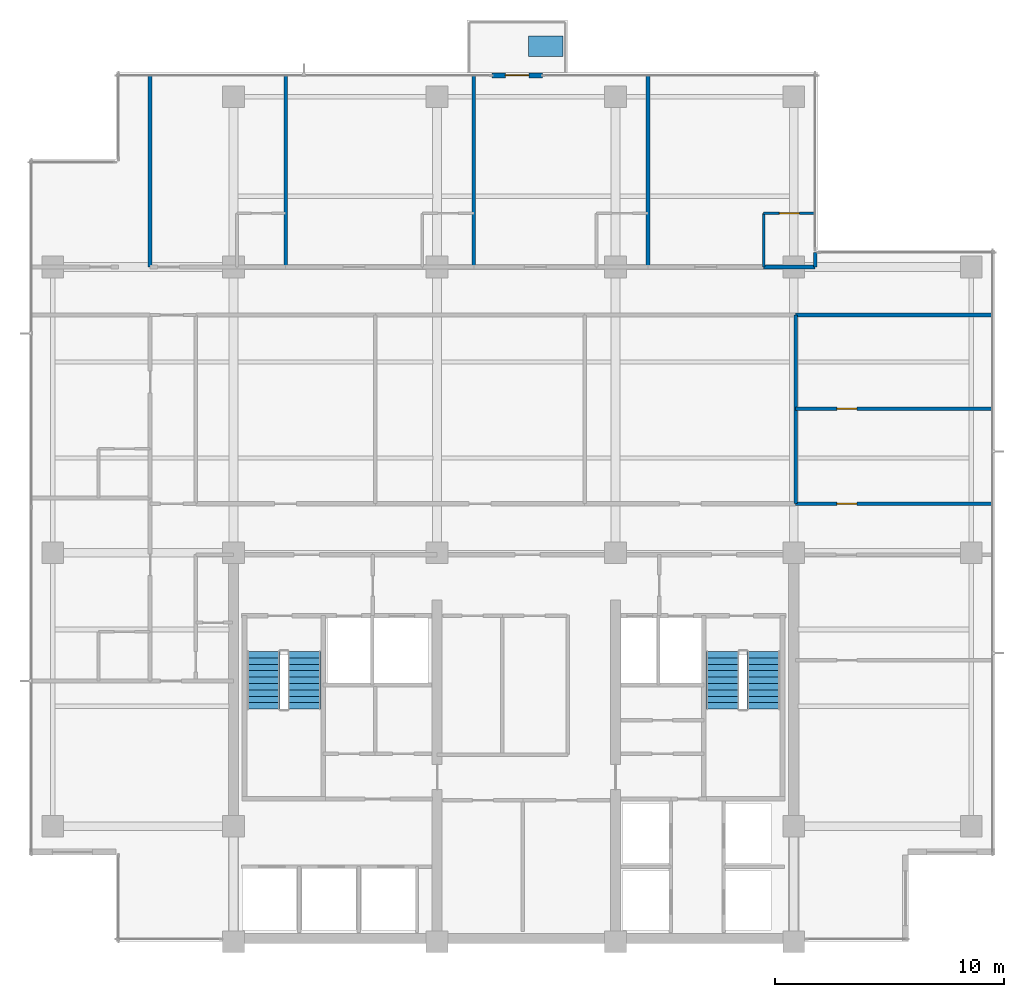
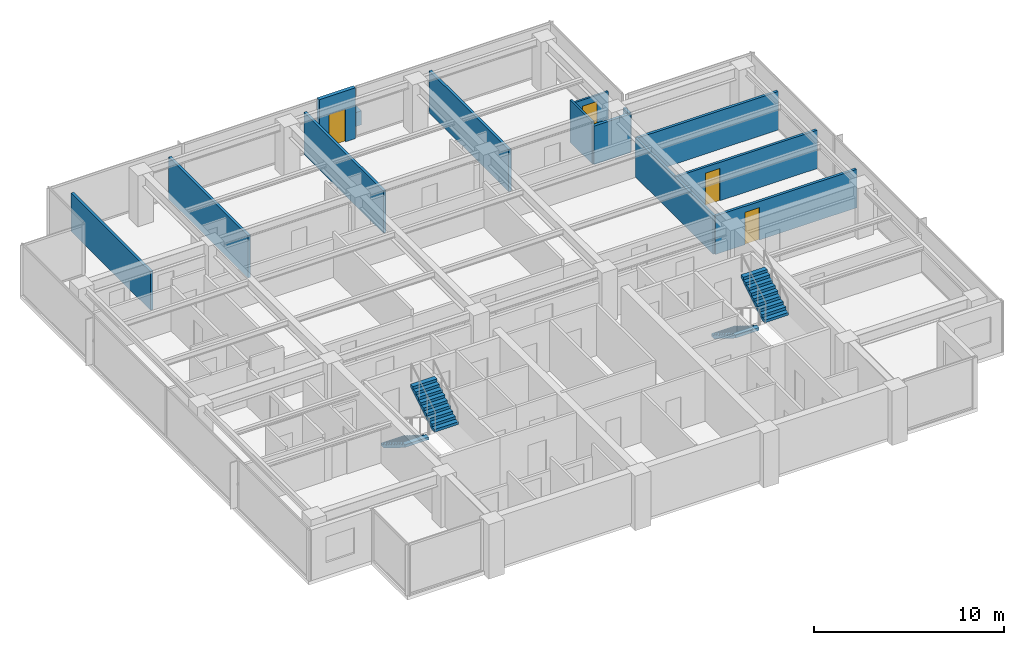
# One storey, part 10 of 15: 13 walls, 4 doors, 4 stair flights, 1 discrete accessory, 4 openings, 2 elements without a shape of their own.
"""IFC4 building model written with IfcOpenShell, lengths in metres."""

from ifc_helpers import new_model, si_unit, direction, frame, frame_2d, origin, place, context, subcontext, project, spatial, polyline, rectangle, outline, extrude, material, layer, layer_set, type_object, element, fill, aggregate, save


model = new_model("IFC4")

# Units and contexts
model_context = context("Model", 3, precision=1e-05, world=origin(), true_north=direction((0.0, 1.0)))
body_context = subcontext(model_context, "Body", "Model", "MODEL_VIEW")
ifc_project = project(units=[si_unit("LENGTHUNIT", "METRE"), si_unit("AREAUNIT", "SQUARE_METRE"), si_unit("VOLUMEUNIT", "CUBIC_METRE"), si_unit("PLANEANGLEUNIT", "RADIAN"), si_unit("MASSUNIT", "GRAM", prefix="KILO")], contexts=[model_context])

# Site, building, storey
site_placement = place(None, origin())
site = spatial("IfcSite", under=ifc_project, at=site_placement, CompositionType="ELEMENT")
building_placement = place(site_placement, origin())
building = spatial("IfcBuilding", under=site, at=building_placement, Name="Qalmaran Belvedere Hotel", CompositionType="ELEMENT")
storey_placement = place(building_placement, frame((0.0, 0.0, 214.39990234375)))
storey = spatial("IfcBuildingStorey", under=building, at=storey_placement, Name="L54", CompositionType="ELEMENT", Elevation=214.39990234375)

# Wall, opening, door
ifc_material_1 = material(Name="Anodised Bronze Cladding")
ifc_layer_1 = layer(ifc_material_1, 0.22509765625, Name="Anodised Bronze Cladding")
ifc_layer_set_1 = layer_set([ifc_layer_1], Name="Anodised Bronze Cladding")
wall_type_1 = type_object("IfcWallType", Name="WL-BAL-PORT-225", PredefinedType="SOLIDWALL", material=ifc_layer_set_1)
wall_1_placement = place(storey_placement, frame((31.60009765625, 41.3798828125, 0.0), z_axis=(0.0, 0.0, 1.0), x_axis=(1.0, 0.0, 0.0)))
wall_1 = element("IfcWall", 1, at=wall_1_placement, inside=storey, type_object=wall_type_1, Name="L54 Tree Balcony Door Portal", PredefinedType="SOLIDWALL", context=body_context, shape_type="SweptSolid", body=[
    extrude(rectangle(XDim=2.199951171875, YDim=0.22509765625, at=frame_2d((1.10009765625, 0.0))), origin(), (0.0, 0.0, 1.0), 3.260009765625),
])
opening_1_placement = place(wall_1_placement, frame((0.590087890625, 0.0, 0.0)))
opening_1 = element("IfcOpeningElement", 2, at=opening_1_placement, cuts=wall_1, Name="Opening BL-102", PredefinedType="OPENING", context=body_context, shape_type="SweptSolid", body=[
    extrude(rectangle(XDim=1.02001953125, YDim=2.10009765625, at=frame_2d((0.510009765625, 1.050048828125))), frame((0.0, 0.12255859375, 0.0), z_axis=(0.0, -1.0, 0.0), x_axis=(1.0, 0.0, 0.0)), (0.0, 0.0, 1.0), 0.2451171875),
])
ifc_material_2 = material(Name="Anodised Bronze Aluminium", Category="aluminium")
door_type_1 = type_object("IfcDoorType", Name="DR-BAL-1020X2100", OperationType="NOTDEFINED", PredefinedType="DOOR", material=ifc_material_2)
door_1_placement = place(opening_1_placement, origin())
door_1 = element("IfcDoor", 3, at=door_1_placement, inside=storey, type_object=door_type_1, Name="L54 Planted Tree Balcony Door", OperationType="SINGLE_SWING_LEFT", OverallHeight=2.10009765625, OverallWidth=1.02001953125, PredefinedType="DOOR", context=body_context, shape_type="SweptSolid", body=[
    extrude(rectangle(XDim=1.02001953125, YDim=2.10009765625, at=frame_2d((0.510009765625, 1.050048828125))), frame((0.0, 0.02490234375, 0.0), z_axis=(0.0, -1.0, 0.0), x_axis=(1.0, 0.0, 0.0)), (0.0, 0.0, 1.0), 0.050048828125),
])
fill(opening_1, door_1)

ifc_material_3 = material(Name="Moisture-Resistant Gypsum")
ifc_layer_2 = layer(ifc_material_3, 0.1201171875, Name="Moisture-Resistant Gypsum")
ifc_layer_set_2 = layer_set([ifc_layer_2], Name="Moisture-Resistant Gypsum")
wall_type_2 = type_object("IfcWallType", Name="WL-INT-120-BATH", PredefinedType="PARTITIONING", material=ifc_layer_set_2)
wall_2_placement = place(storey_placement, frame((43.47998046875, 35.35009765625, 0.0), z_axis=(0.0, 0.0, 1.0), x_axis=(1.0, 0.0, 0.0)))
wall_2 = element("IfcWall", 4, at=wall_2_placement, inside=storey, type_object=wall_type_2, Name="L54 Partition WL-L54-NBN03", PredefinedType="PARTITIONING", context=body_context, shape_type="SweptSolid", body=[
    extrude(rectangle(XDim=2.25, YDim=0.1201171875, at=frame_2d((1.125, 0.0))), origin(), (0.0, 0.0, 1.0), 2.47216796875),
])
opening_2_placement = place(wall_2_placement, frame((1.56494140625, 0.0, 0.0), z_axis=(0.0, 0.0, 1.0), x_axis=(-1.0, 0.0, 0.0)))
opening_2 = element("IfcOpeningElement", 5, at=opening_2_placement, cuts=wall_2, Name="Opening D-BATH", PredefinedType="OPENING", context=body_context, shape_type="SweptSolid", body=[
    extrude(rectangle(XDim=0.8798828125, YDim=2.080078125, at=frame_2d((0.43994140625, 1.0400390625))), frame((0.0, 0.070068359375, 0.0), z_axis=(0.0, -1.0, 0.0), x_axis=(1.0, 0.0, 0.0)), (0.0, 0.0, 1.0), 0.14013671875),
])
ifc_material_4 = material(Name="Engineered Oak Veneer")
door_type_2 = type_object("IfcDoorType", Name="DR-INT-BATH-880X2080", OperationType="NOTDEFINED", PredefinedType="DOOR", material=ifc_material_4)
door_2_placement = place(opening_2_placement, origin())
door_2 = element("IfcDoor", 6, at=door_2_placement, inside=storey, type_object=door_type_2, Name="L54 Ensuite Bathroom Door N04", OperationType="SINGLE_SWING_RIGHT", OverallHeight=2.080078125, OverallWidth=0.8798828125, PredefinedType="DOOR", context=body_context, shape_type="SweptSolid", body=[
    extrude(rectangle(XDim=0.8798828125, YDim=2.080078125, at=frame_2d((0.43994140625, 1.0400390625))), frame((0.0, 0.02490234375, 0.0), z_axis=(0.0, -1.0, 0.0), x_axis=(1.0, 0.0, 0.0)), (0.0, 0.0, 1.0), 0.050048828125),
])
fill(opening_2, door_2)

# Wall
wall_3_placement = place(storey_placement, frame((43.47998046875, 33.0, 0.0), z_axis=(0.0, 0.0, 1.0), x_axis=(0.0, 1.0, 0.0)))
element("IfcWall", 7, at=wall_3_placement, inside=storey, type_object=wall_type_2, Name="L54 Partition WL-L54-NBS03", PredefinedType="PARTITIONING", context=body_context, shape_type="SweptSolid", body=[
    extrude(rectangle(XDim=2.35009765625, YDim=0.1201171875, at=frame_2d((1.175048828125, 0.0))), origin(), (0.0, 0.0, 1.0), 2.7060546875),
])

# Wall, opening, door
ifc_material_5 = material(Name="Gypsum Stud Partition")
ifc_layer_3 = layer(ifc_material_5, 0.14990234375, Name="Gypsum Stud Partition")
ifc_layer_set_3 = layer_set([ifc_layer_3], Name="Gypsum Stud Partition")
wall_type_3 = type_object("IfcWallType", Name="WL-INT-150-EI60", PredefinedType="PARTITIONING", material=ifc_layer_set_3)
wall_4_placement = place(storey_placement, frame((44.8798828125, 26.800048828125, 0.0), z_axis=(0.0, 0.0, 1.0), x_axis=(1.0, 0.0, 0.0)))
wall_4 = element("IfcWall", 8, at=wall_4_placement, inside=storey, type_object=wall_type_3, Name="L54 Partition WL-L54-ECEH2", PredefinedType="PARTITIONING", context=body_context, shape_type="SweptSolid", body=[
    extrude(rectangle(XDim=8.60009765625, YDim=0.14990234375, at=frame_2d((4.300048828125, 0.0))), origin(), (0.0, 0.0, 1.0), 2.47216796875),
])
opening_3_placement = place(wall_4_placement, frame((1.800048828125, 0.0, 0.0)))
opening_3 = element("IfcOpeningElement", 9, at=opening_3_placement, cuts=wall_4, Name="Opening FD60B", PredefinedType="OPENING", context=body_context, shape_type="SweptSolid", body=[
    extrude(rectangle(XDim=0.8798828125, YDim=2.080078125, at=frame_2d((0.43994140625, 1.0400390625))), frame((0.0, 0.0849609375, 0.0), z_axis=(0.0, -1.0, 0.0), x_axis=(1.0, 0.0, 0.0)), (0.0, 0.0, 1.0), 0.169921875),
])
ifc_material_6 = material(Name="Steel S355JR", Category="steel")
door_type_3 = type_object("IfcDoorType", Name="DR-FD60B-880X2080", OperationType="NOTDEFINED", PredefinedType="DOOR", material=ifc_material_6)
door_3_placement = place(opening_3_placement, origin())
door_3 = element("IfcDoor", 10, at=door_3_placement, inside=storey, type_object=door_type_3, Name="L54 East Meditation Door", OperationType="SINGLE_SWING_RIGHT", OverallHeight=2.080078125, OverallWidth=0.8798828125, PredefinedType="DOOR", context=body_context, shape_type="SweptSolid", body=[
    extrude(rectangle(XDim=0.8798828125, YDim=2.080078125, at=frame_2d((0.43994140625, 1.0400390625))), frame((0.0, 0.02490234375, 0.0), z_axis=(0.0, -1.0, 0.0), x_axis=(1.0, 0.0, 0.0)), (0.0, 0.0, 1.0), 0.050048828125),
])
fill(opening_3, door_3)

ifc_layer_4 = layer(ifc_material_5, 0.159912109375, Name="Gypsum Stud Partition")
ifc_layer_set_4 = layer_set([ifc_layer_4], Name="Gypsum Stud Partition")
wall_type_4 = type_object("IfcWallType", Name="WL-INT-160-EI60", PredefinedType="PARTITIONING", material=ifc_layer_set_4)
wall_5_placement = place(storey_placement, frame((44.8798828125, 22.64990234375, 0.0), z_axis=(0.0, 0.0, 1.0), x_axis=(1.0, 0.0, 0.0)))
wall_5 = element("IfcWall", 11, at=wall_5_placement, inside=storey, type_object=wall_type_4, Name="L54 Partition WL-L54-ECE2N", PredefinedType="PARTITIONING", context=body_context, shape_type="SweptSolid", body=[
    extrude(rectangle(XDim=8.60009765625, YDim=0.159912109375, at=frame_2d((4.300048828125, 0.0))), origin(), (0.0, 0.0, 1.0), 2.47216796875),
])
opening_4_placement = place(wall_5_placement, frame((1.800048828125, 0.0, 0.0)))
opening_4 = element("IfcOpeningElement", 12, at=opening_4_placement, cuts=wall_5, Name="Opening FD60B", PredefinedType="OPENING", context=body_context, shape_type="SweptSolid", body=[
    extrude(rectangle(XDim=0.8798828125, YDim=2.080078125, at=frame_2d((0.43994140625, 1.0400390625))), frame((0.0, 0.08984375, 0.0), z_axis=(0.0, -1.0, 0.0), x_axis=(1.0, 0.0, 0.0)), (0.0, 0.0, 1.0), 0.179931640625),
])
door_4_placement = place(opening_4_placement, origin())
door_4 = element("IfcDoor", 13, at=door_4_placement, inside=storey, type_object=door_type_3, Name="L54 East Fitness Door", OperationType="SINGLE_SWING_RIGHT", OverallHeight=2.080078125, OverallWidth=0.8798828125, PredefinedType="DOOR", context=body_context, shape_type="SweptSolid", body=[
    extrude(rectangle(XDim=0.8798828125, YDim=2.080078125, at=frame_2d((0.43994140625, 1.0400390625))), frame((0.0, 0.02490234375, 0.0), z_axis=(0.0, -1.0, 0.0), x_axis=(1.0, 0.0, 0.0)), (0.0, 0.0, 1.0), 0.050048828125),
])
fill(opening_4, door_4)

# Walls
wall_6_placement = place(storey_placement, frame((44.8798828125, 30.89990234375, 0.0), z_axis=(0.0, 0.0, 1.0), x_axis=(1.0, 0.0, 0.0)))
element("IfcWall", 14, at=wall_6_placement, inside=storey, type_object=wall_type_4, Name="L54 Partition WL-L54-ECEN", PredefinedType="PARTITIONING", context=body_context, shape_type="SweptSolid", body=[
    extrude(rectangle(XDim=8.60009765625, YDim=0.159912109375, at=frame_2d((4.300048828125, 0.0))), origin(), (0.0, 0.0, 1.0), 2.47216796875),
])
wall_7_placement = place(storey_placement, frame((44.8798828125, 22.64990234375, 0.0), z_axis=(0.0, 0.0, 1.0), x_axis=(0.0, 1.0, 0.0)))
element("IfcWall", 15, at=wall_7_placement, inside=storey, type_object=wall_type_4, Name="L54 Partition WL-L54-MIDVR3", PredefinedType="PARTITIONING", context=body_context, shape_type="SweptSolid", body=[
    extrude(rectangle(XDim=8.25, YDim=0.159912109375, at=frame_2d((4.125, 0.0))), origin(), (0.0, 0.0, 1.0), 2.47216796875),
])
wall_8_placement = place(storey_placement, frame((16.64990234375, 33.0, 0.0), z_axis=(0.0, 0.0, 1.0), x_axis=(0.0, 1.0, 0.0)))
element("IfcWall", 16, at=wall_8_placement, inside=storey, type_object=wall_type_4, Name="L54 Partition WL-L54-NUL", PredefinedType="PARTITIONING", context=body_context, shape_type="SweptSolid", body=[
    extrude(rectangle(XDim=8.3798828125, YDim=0.159912109375, at=frame_2d((4.18994140625, 0.0))), origin(), (0.0, 0.0, 1.0), 2.47216796875),
])
for number, where, z_axis, x_axis, name in (
    (17, (22.580322265625, 33.0, 0.0), (0.0, 0.0, 1.0), (0.0, 1.0, 0.0), "L54 Partition WL-L54-NUR00"),
    (18, (30.8046875, 33.0, 0.0), (0.0, 0.0, 1.0), (0.0, 1.0, 0.0), "L54 Partition WL-L54-NUR01"),
    (19, (38.419677734375, 33.0, 0.0), (0.0, 0.0, 1.0), (0.0, 1.0, 0.0), "L54 Partition WL-L54-NUR02"),
):
    element("IfcWall", number, at=place(storey_placement, frame(where, z_axis=z_axis, x_axis=x_axis)), inside=storey, type_object=wall_type_4, Name=name, PredefinedType="PARTITIONING", context=body_context, shape_type="SweptSolid", body=[
        extrude(rectangle(XDim=8.3798828125, YDim=0.159912109375, at=frame_2d((4.18994140625, 0.0))), origin(), (0.0, 0.0, 1.0), 2.7060546875),
    ])
wall_9_placement = place(storey_placement, frame((45.72998046875, 33.0, 0.0), z_axis=(0.0, 0.0, 1.0), x_axis=(0.0, 1.0, 0.0)))
element("IfcWall", 20, at=wall_9_placement, inside=storey, type_object=wall_type_4, Name="L54 Partition WL-L54-NUR03", PredefinedType="PARTITIONING", context=body_context, shape_type="SweptSolid", body=[
    extrude(rectangle(XDim=0.6298828125, YDim=0.159912109375, at=frame_2d((0.31494140625, 0.0))), origin(), (0.0, 0.0, 1.0), 2.47216796875),
])
ifc_layer_5 = layer(ifc_material_5, 0.179931640625, Name="Gypsum Stud Partition")
ifc_layer_set_5 = layer_set([ifc_layer_5], Name="Gypsum Stud Partition")
wall_type_5 = type_object("IfcWallType", Name="WL-INT-180-EI60", PredefinedType="PARTITIONING", material=ifc_layer_set_5)
wall_10_placement = place(storey_placement, frame((43.47998046875, 33.0, 0.0), z_axis=(0.0, 0.0, 1.0), x_axis=(1.0, 0.0, 0.0)))
element("IfcWall", 21, at=wall_10_placement, inside=storey, type_object=wall_type_5, Name="L54 Partition WL-L54-NBC03", PredefinedType="PARTITIONING", context=body_context, shape_type="SweptSolid", body=[
    extrude(rectangle(XDim=2.25, YDim=0.179931640625, at=frame_2d((1.125, 0.0))), origin(), (0.0, 0.0, 1.0), 2.47216796875),
])

# Stair, stair flights
ifc_material_7 = material(Name="Concrete C40/50", Category="concrete")
stair_type_1 = type_object("IfcStairType", Name="STR-ST-1-1450-R1750", PredefinedType="HALF_TURN_STAIR", material=ifc_material_7)
stair_1_placement = place(storey_placement, origin())
stair_1 = element("IfcStair", 22, at=stair_1_placement, inside=storey, type_object=stair_type_1, Name="L54 West Core Exit Stair ST-1", PredefinedType="HALF_TURN_STAIR")
ifc_layer_6 = layer(ifc_material_7, 0.14990234375, Name="Concrete C40/50")
ifc_layer_set_6 = layer_set([ifc_layer_6], Name="Concrete C40/50")
stair_flight_type_1 = type_object("IfcStairFlightType", Name="STF-ST-1-1450-R1750", PredefinedType="STRAIGHT", material=ifc_layer_set_6)
stair_flight_1_placement = place(storey_placement, frame((21.60498046875, 16.18994140625, 0.0), z_axis=(0.0, 0.0, 1.0), x_axis=(0.0, -1.0, 0.0)))
stair_flight_1 = element("IfcStairFlight", 23, at=stair_flight_1_placement, type_object=stair_flight_type_1, Name="ST-1 flight 1", NumberOfRisers=10, NumberOfTreads=9, PredefinedType="STRAIGHT", RiserHeight=0.175, TreadLength=0.28, context=body_context, shape_type="SweptSolid", body=[
    extrude(outline(polyline([(0.0, 0.0), (0.0, 0.175048828125), (0.280029296875, 0.175048828125), (0.280029296875, 0.35009765625), (0.56005859375, 0.35009765625), (0.56005859375, 0.52490234375), (0.840087890625, 0.52490234375), (0.840087890625, 0.699951171875), (1.1201171875, 0.699951171875), (1.1201171875, 0.875), (1.39990234375, 0.875), (1.39990234375, 1.050048828125), (1.679931640625, 1.050048828125), (1.679931640625, 1.22509765625), (1.9599609375, 1.22509765625), (1.9599609375, 1.39990234375), (2.239990234375, 1.39990234375), (2.239990234375, 1.574951171875), (2.52001953125, 1.574951171875), (2.52001953125, 1.75), (2.52001953125, 1.398193359375), (0.28271484375, 0.0), (0.0, 0.0)])), frame((0.0, 0.72509765625, 0.0), z_axis=(0.0, -1.0, 0.0), x_axis=(1.0, 0.0, 0.0)), (0.0, 0.0, 1.0), 1.449951171875),
])
stair_flight_2_placement = place(storey_placement, frame((23.39501953125, 13.669921875, 1.75), z_axis=(0.0, 0.0, 1.0), x_axis=(0.0, 1.0, 0.0)))
stair_flight_2 = element("IfcStairFlight", 24, at=stair_flight_2_placement, type_object=stair_flight_type_1, Name="ST-1 flight 2", NumberOfRisers=10, NumberOfTreads=9, PredefinedType="STRAIGHT", RiserHeight=0.175, TreadLength=0.28, context=body_context, shape_type="SweptSolid", body=[
    extrude(outline(polyline([(0.0, 0.0), (0.0, 0.175048828125), (0.280029296875, 0.175048828125), (0.280029296875, 0.35009765625), (0.56005859375, 0.35009765625), (0.56005859375, 0.52490234375), (0.840087890625, 0.52490234375), (0.840087890625, 0.699951171875), (1.1201171875, 0.699951171875), (1.1201171875, 0.875), (1.39990234375, 0.875), (1.39990234375, 1.050048828125), (1.679931640625, 1.050048828125), (1.679931640625, 1.22509765625), (1.9599609375, 1.22509765625), (1.9599609375, 1.39990234375), (2.239990234375, 1.39990234375), (2.239990234375, 1.574951171875), (2.52001953125, 1.574951171875), (2.52001953125, 1.75), (2.52001953125, 1.398193359375), (0.28271484375, 0.0), (0.0, 0.0)])), frame((0.0, 0.72509765625, 0.0), z_axis=(0.0, -1.0, 0.0), x_axis=(1.0, 0.0, 0.0)), (0.0, 0.0, 1.0), 1.449951171875),
])
aggregate(stair_1, [stair_flight_1, stair_flight_2])

stair_type_2 = type_object("IfcStairType", Name="STR-ST-2-1450-R1750", PredefinedType="HALF_TURN_STAIR", material=ifc_material_7)
stair_2_placement = place(storey_placement, origin())
stair_2 = element("IfcStair", 25, at=stair_2_placement, inside=storey, type_object=stair_type_2, Name="L54 East Core Exit Stair ST-2", PredefinedType="HALF_TURN_STAIR")
ifc_layer_7 = layer(ifc_material_7, 0.14990234375, Name="Concrete C40/50")
ifc_layer_set_7 = layer_set([ifc_layer_7], Name="Concrete C40/50")
stair_flight_type_2 = type_object("IfcStairFlightType", Name="STF-ST-2-1450-R1750", PredefinedType="STRAIGHT", material=ifc_layer_set_7)
stair_flight_3_placement = place(storey_placement, frame((41.68505859375, 16.18994140625, 0.0), z_axis=(0.0, 0.0, 1.0), x_axis=(0.0, -1.0, 0.0)))
stair_flight_3 = element("IfcStairFlight", 26, at=stair_flight_3_placement, type_object=stair_flight_type_2, Name="ST-2 flight 1", NumberOfRisers=10, NumberOfTreads=9, PredefinedType="STRAIGHT", RiserHeight=0.175, TreadLength=0.28, context=body_context, shape_type="SweptSolid", body=[
    extrude(outline(polyline([(0.0, 0.0), (0.0, 0.175048828125), (0.280029296875, 0.175048828125), (0.280029296875, 0.35009765625), (0.56005859375, 0.35009765625), (0.56005859375, 0.52490234375), (0.840087890625, 0.52490234375), (0.840087890625, 0.699951171875), (1.1201171875, 0.699951171875), (1.1201171875, 0.875), (1.39990234375, 0.875), (1.39990234375, 1.050048828125), (1.679931640625, 1.050048828125), (1.679931640625, 1.22509765625), (1.9599609375, 1.22509765625), (1.9599609375, 1.39990234375), (2.239990234375, 1.39990234375), (2.239990234375, 1.574951171875), (2.52001953125, 1.574951171875), (2.52001953125, 1.75), (2.52001953125, 1.398193359375), (0.28271484375, 0.0), (0.0, 0.0)])), frame((0.0, 0.72509765625, 0.0), z_axis=(0.0, -1.0, 0.0), x_axis=(1.0, 0.0, 0.0)), (0.0, 0.0, 1.0), 1.449951171875),
])
stair_flight_4_placement = place(storey_placement, frame((43.47509765625, 13.669921875, 1.75), z_axis=(0.0, 0.0, 1.0), x_axis=(0.0, 1.0, 0.0)))
stair_flight_4 = element("IfcStairFlight", 27, at=stair_flight_4_placement, type_object=stair_flight_type_2, Name="ST-2 flight 2", NumberOfRisers=10, NumberOfTreads=9, PredefinedType="STRAIGHT", RiserHeight=0.175, TreadLength=0.28, context=body_context, shape_type="SweptSolid", body=[
    extrude(outline(polyline([(0.0, 0.0), (0.0, 0.175048828125), (0.280029296875, 0.175048828125), (0.280029296875, 0.35009765625), (0.56005859375, 0.35009765625), (0.56005859375, 0.52490234375), (0.840087890625, 0.52490234375), (0.840087890625, 0.699951171875), (1.1201171875, 0.699951171875), (1.1201171875, 0.875), (1.39990234375, 0.875), (1.39990234375, 1.050048828125), (1.679931640625, 1.050048828125), (1.679931640625, 1.22509765625), (1.9599609375, 1.22509765625), (1.9599609375, 1.39990234375), (2.239990234375, 1.39990234375), (2.239990234375, 1.574951171875), (2.52001953125, 1.574951171875), (2.52001953125, 1.75), (2.52001953125, 1.398193359375), (0.28271484375, 0.0), (0.0, 0.0)])), frame((0.0, 0.72509765625, 0.0), z_axis=(0.0, -1.0, 0.0), x_axis=(1.0, 0.0, 0.0)), (0.0, 0.0, 1.0), 1.449951171875),
])
aggregate(stair_2, [stair_flight_3, stair_flight_4])

# Discrete accessory
discrete_accessory_type = type_object("IfcDiscreteAccessoryType", Name="PLN-BAL-1500", PredefinedType="USERDEFINED", material=ifc_material_7)
discrete_accessory_placement = place(storey_placement, origin())
element("IfcDiscreteAccessory", 28, at=discrete_accessory_placement, inside=storey, type_object=discrete_accessory_type, Name="L54 Sky Tree Planter", ObjectType="PLANTER", PredefinedType="USERDEFINED", context=body_context, shape_type="SweptSolid", body=[
    extrude(outline(polyline([(33.199951171875, 42.199951171875), (34.699951171875, 42.199951171875), (34.699951171875, 43.10009765625), (33.199951171875, 43.10009765625), (33.199951171875, 42.199951171875)])), origin(), (0.0, 0.0, 1.0), 0.900146484375),
])

save(model, "model.ifc")
